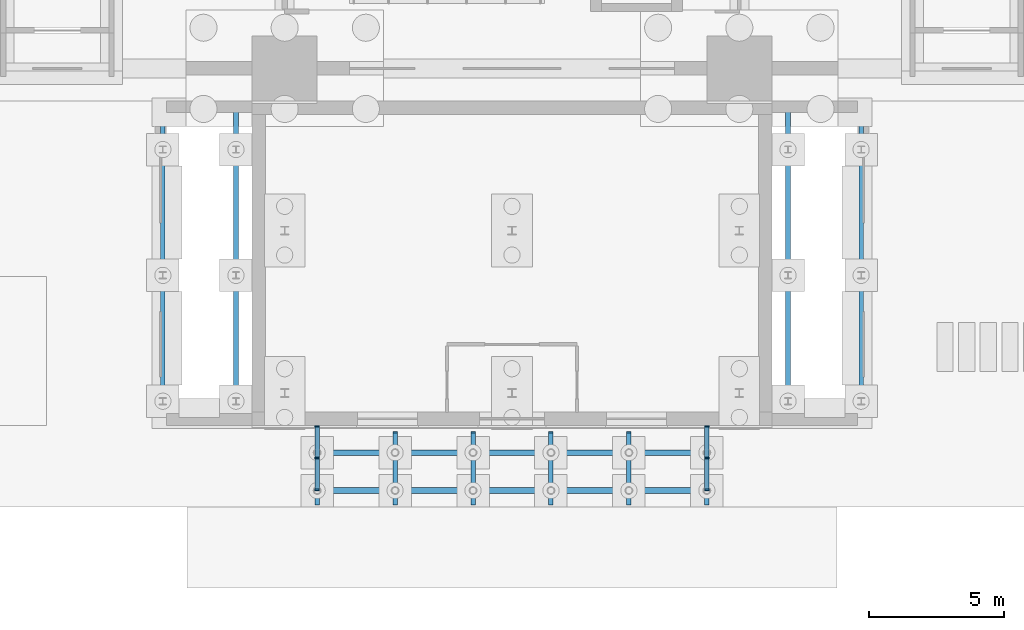
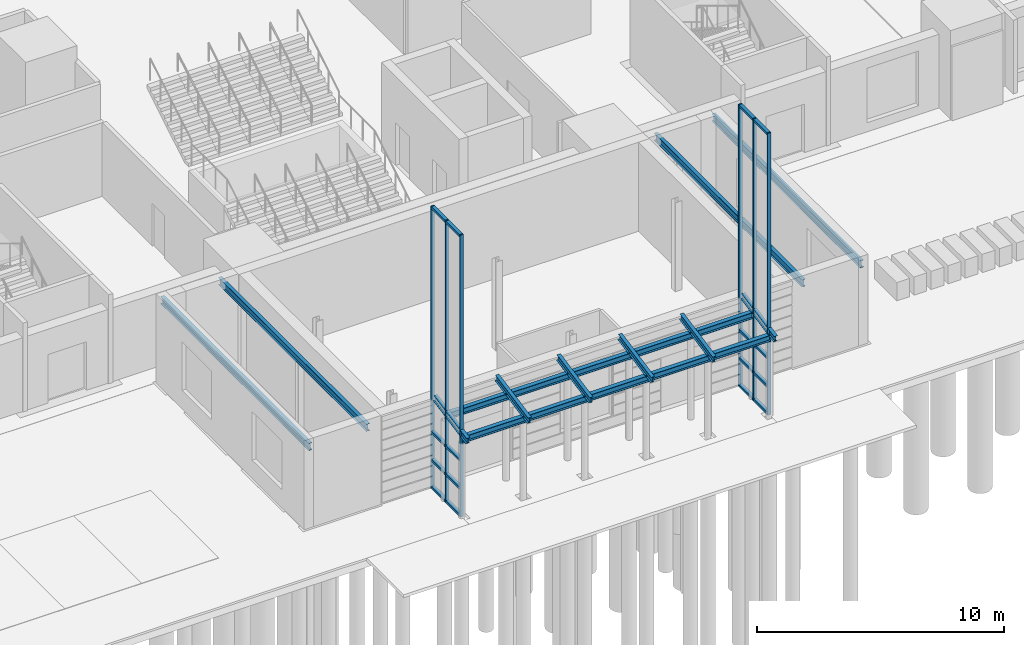
# One storey, part 26 of 139: 28 members, 6 beams, 2 elements without a shape of their own.
"""IFC4 building model written with IfcOpenShell, lengths in metres."""

from ifc_helpers import new_model, si_unit, direction, frame, origin, origin_2d, place, context, subcontext, project, spatial, rectangle, i_section, extrude, material, layer, layer_set, material_profile, profile_set, type_object, element, aggregate, save


model = new_model("IFC4")

# Units and contexts
model_context = context("Model", 3, precision=1e-05, world=origin(), true_north=direction((0.0, 1.0)))
body_context = subcontext(model_context, "Body", "Model", "MODEL_VIEW")
ifc_project = project(units=[si_unit("LENGTHUNIT", "METRE"), si_unit("AREAUNIT", "SQUARE_METRE"), si_unit("VOLUMEUNIT", "CUBIC_METRE"), si_unit("PLANEANGLEUNIT", "RADIAN"), si_unit("MASSUNIT", "GRAM", prefix="KILO")], contexts=[model_context])

# Site, building, storey
site_placement = place(None, origin())
site = spatial("IfcSite", under=ifc_project, at=site_placement, CompositionType="ELEMENT")
building_placement = place(site_placement, origin())
building = spatial("IfcBuilding", under=site, at=building_placement, Name="Verrick Yard Athletic Hall", CompositionType="ELEMENT")
storey_placement = place(building_placement, origin())
storey = spatial("IfcBuildingStorey", under=building, at=storey_placement, Name="L00", CompositionType="ELEMENT", Elevation=0.0)

# Curtain wall, members
ifc_material_1 = material(Name="Anodised aluminium", Category="aluminium")
ifc_layer = layer(ifc_material_1, 0.199951171875)
ifc_layer_set = layer_set([ifc_layer], Name="Front glazing")
curtain_wall_type = type_object("IfcCurtainWallType", Name="Front glazing", PredefinedType="NOTDEFINED", material=ifc_layer_set)
curtain_wall_1_placement = place(storey_placement, origin())
curtain_wall_1 = element("IfcCurtainWall", 1, at=curtain_wall_1_placement, inside=storey, type_object=curtain_wall_type, Name="ENVB-PORCH-W-CW", PredefinedType="NOTDEFINED")
ifc_material_profile_1 = material_profile(ifc_material_1, rectangle(XDim=0.159912109375, YDim=0.06005859375, at=origin_2d()), Name="CW mullion 60x160")
ifc_profile_set_1 = profile_set([ifc_material_profile_1], Name="Anodised aluminium")
member_type_1 = type_object("IfcMemberType", Name="Front glazing mullion 60x160", PredefinedType="MULLION", material=ifc_profile_set_1)
member_1_placement = place(storey_placement, frame((91.60009765625, 3.6298828125, 0.0), z_axis=(0.0, 0.0, 1.0), x_axis=(-1.0, 0.0, 0.0)))
member_1 = element("IfcMember", 2, at=member_1_placement, type_object=member_type_1, Name="ENVB-PORCH-W-CW/M00", PredefinedType="MULLION", context=body_context, shape_type="SweptSolid", body=[
    extrude(rectangle(XDim=0.159912109375, YDim=0.06005859375, at=origin_2d()), origin(), (0.0, 0.0, 1.0), 13.958984375),
])
member_2_placement = place(storey_placement, frame((91.60009765625, 4.800048828125, 0.0), z_axis=(0.0, 0.0, 1.0), x_axis=(-1.0, 0.0, 0.0)))
member_2 = element("IfcMember", 3, at=member_2_placement, type_object=member_type_1, Name="ENVB-PORCH-W-CW/M01", PredefinedType="MULLION", context=body_context, shape_type="SweptSolid", body=[
    extrude(rectangle(XDim=0.159912109375, YDim=0.06005859375, at=origin_2d()), origin(), (0.0, 0.0, 1.0), 13.958984375),
])
member_3_placement = place(storey_placement, frame((91.60009765625, 5.969970703125, 0.0), z_axis=(0.0, 0.0, 1.0), x_axis=(-1.0, 0.0, 0.0)))
member_3 = element("IfcMember", 4, at=member_3_placement, type_object=member_type_1, Name="ENVB-PORCH-W-CW/M02", PredefinedType="MULLION", context=body_context, shape_type="SweptSolid", body=[
    extrude(rectangle(XDim=0.159912109375, YDim=0.06005859375, at=origin_2d()), origin(), (0.0, 0.0, 1.0), 13.958984375),
])

curtain_wall_2_placement = place(storey_placement, origin())
curtain_wall_2 = element("IfcCurtainWall", 5, at=curtain_wall_2_placement, inside=storey, type_object=curtain_wall_type, Name="ENVB-PORCH-E-CW", PredefinedType="NOTDEFINED")
member_4_placement = place(storey_placement, frame((106.0, 3.6298828125, 0.0), z_axis=(0.0, 0.0, 1.0), x_axis=(-1.0, 0.0, 0.0)))
member_4 = element("IfcMember", 6, at=member_4_placement, type_object=member_type_1, Name="ENVB-PORCH-E-CW/M00", PredefinedType="MULLION", context=body_context, shape_type="SweptSolid", body=[
    extrude(rectangle(XDim=0.159912109375, YDim=0.06005859375, at=origin_2d()), origin(), (0.0, 0.0, 1.0), 13.958984375),
])
member_5_placement = place(storey_placement, frame((106.0, 4.800048828125, 0.0), z_axis=(0.0, 0.0, 1.0), x_axis=(-1.0, 0.0, 0.0)))
member_5 = element("IfcMember", 7, at=member_5_placement, type_object=member_type_1, Name="ENVB-PORCH-E-CW/M01", PredefinedType="MULLION", context=body_context, shape_type="SweptSolid", body=[
    extrude(rectangle(XDim=0.159912109375, YDim=0.06005859375, at=origin_2d()), origin(), (0.0, 0.0, 1.0), 13.958984375),
])
member_6_placement = place(storey_placement, frame((106.0, 5.969970703125, 0.0), z_axis=(0.0, 0.0, 1.0), x_axis=(-1.0, 0.0, 0.0)))
member_6 = element("IfcMember", 8, at=member_6_placement, type_object=member_type_1, Name="ENVB-PORCH-E-CW/M02", PredefinedType="MULLION", context=body_context, shape_type="SweptSolid", body=[
    extrude(rectangle(XDim=0.159912109375, YDim=0.06005859375, at=origin_2d()), origin(), (0.0, 0.0, 1.0), 13.958984375),
])

# Member
ifc_material_profile_2 = material_profile(ifc_material_1, rectangle(XDim=0.159912109375, YDim=0.1201171875, at=origin_2d()), Name="CW transom 160x120")
ifc_profile_set_2 = profile_set([ifc_material_profile_2], Name="Anodised aluminium")
member_type_2 = type_object("IfcMemberType", Name="Front glazing transom 160x120", PredefinedType="USERDEFINED", material=ifc_profile_set_2)
member_7_placement = place(storey_placement, frame((91.60009765625, 3.659912109375, 0.06005859375), z_axis=(0.0, 1.0, 0.0), x_axis=(-1.0, 0.0, 0.0)))
member_7 = element("IfcMember", 9, at=member_7_placement, type_object=member_type_2, Name="ENVB-PORCH-W-CW/T00-00", ObjectType="TRANSOM", PredefinedType="USERDEFINED", context=body_context, shape_type="SweptSolid", body=[
    extrude(rectangle(XDim=0.159912109375, YDim=0.1201171875, at=origin_2d()), origin(), (0.0, 0.0, 1.0), 1.110107421875),
])

member_8_placement = place(storey_placement, frame((91.60009765625, 3.659912109375, 1.39990234375), z_axis=(0.0, 1.0, 0.0), x_axis=(-1.0, 0.0, 0.0)))
member_8 = element("IfcMember", 10, at=member_8_placement, type_object=member_type_2, Name="ENVB-PORCH-W-CW/T00-01", ObjectType="TRANSOM", PredefinedType="USERDEFINED", context=body_context, shape_type="SweptSolid", body=[
    extrude(rectangle(XDim=0.159912109375, YDim=0.1201171875, at=origin_2d()), origin(), (0.0, 0.0, 1.0), 1.110107421875),
])

member_9_placement = place(storey_placement, frame((91.60009765625, 3.659912109375, 2.800048828125), z_axis=(0.0, 1.0, 0.0), x_axis=(-1.0, 0.0, 0.0)))
member_9 = element("IfcMember", 11, at=member_9_placement, type_object=member_type_2, Name="ENVB-PORCH-W-CW/T00-02", ObjectType="TRANSOM", PredefinedType="USERDEFINED", context=body_context, shape_type="SweptSolid", body=[
    extrude(rectangle(XDim=0.159912109375, YDim=0.1201171875, at=origin_2d()), origin(), (0.0, 0.0, 1.0), 1.110107421875),
])

member_10_placement = place(storey_placement, frame((91.60009765625, 3.659912109375, 13.89892578125), z_axis=(0.0, 1.0, 0.0), x_axis=(-1.0, 0.0, 0.0)))
member_10 = element("IfcMember", 12, at=member_10_placement, type_object=member_type_2, Name="ENVB-PORCH-W-CW/T00-03", ObjectType="TRANSOM", PredefinedType="USERDEFINED", context=body_context, shape_type="SweptSolid", body=[
    extrude(rectangle(XDim=0.159912109375, YDim=0.1201171875, at=origin_2d()), origin(), (0.0, 0.0, 1.0), 1.110107421875),
])

member_11_placement = place(storey_placement, frame((91.60009765625, 4.830078125, 0.06005859375), z_axis=(0.0, 1.0, 0.0), x_axis=(-1.0, 0.0, 0.0)))
member_11 = element("IfcMember", 13, at=member_11_placement, type_object=member_type_2, Name="ENVB-PORCH-W-CW/T01-00", ObjectType="TRANSOM", PredefinedType="USERDEFINED", context=body_context, shape_type="SweptSolid", body=[
    extrude(rectangle(XDim=0.159912109375, YDim=0.1201171875, at=origin_2d()), origin(), (0.0, 0.0, 1.0), 1.10986328125),
])

member_12_placement = place(storey_placement, frame((91.60009765625, 4.830078125, 1.39990234375), z_axis=(0.0, 1.0, 0.0), x_axis=(-1.0, 0.0, 0.0)))
member_12 = element("IfcMember", 14, at=member_12_placement, type_object=member_type_2, Name="ENVB-PORCH-W-CW/T01-01", ObjectType="TRANSOM", PredefinedType="USERDEFINED", context=body_context, shape_type="SweptSolid", body=[
    extrude(rectangle(XDim=0.159912109375, YDim=0.1201171875, at=origin_2d()), origin(), (0.0, 0.0, 1.0), 1.10986328125),
])

member_13_placement = place(storey_placement, frame((91.60009765625, 4.830078125, 2.800048828125), z_axis=(0.0, 1.0, 0.0), x_axis=(-1.0, 0.0, 0.0)))
member_13 = element("IfcMember", 15, at=member_13_placement, type_object=member_type_2, Name="ENVB-PORCH-W-CW/T01-02", ObjectType="TRANSOM", PredefinedType="USERDEFINED", context=body_context, shape_type="SweptSolid", body=[
    extrude(rectangle(XDim=0.159912109375, YDim=0.1201171875, at=origin_2d()), origin(), (0.0, 0.0, 1.0), 1.10986328125),
])

member_14_placement = place(storey_placement, frame((91.60009765625, 4.830078125, 13.89892578125), z_axis=(0.0, 1.0, 0.0), x_axis=(-1.0, 0.0, 0.0)))
member_14 = element("IfcMember", 16, at=member_14_placement, type_object=member_type_2, Name="ENVB-PORCH-W-CW/T01-03", ObjectType="TRANSOM", PredefinedType="USERDEFINED", context=body_context, shape_type="SweptSolid", body=[
    extrude(rectangle(XDim=0.159912109375, YDim=0.1201171875, at=origin_2d()), origin(), (0.0, 0.0, 1.0), 1.10986328125),
])

aggregate(curtain_wall_1, [member_1, member_2, member_3, member_7, member_8, member_9, member_10, member_11, member_12, member_13, member_14])

member_15_placement = place(storey_placement, frame((106.0, 3.659912109375, 0.06005859375), z_axis=(0.0, 1.0, 0.0), x_axis=(-1.0, 0.0, 0.0)))
member_15 = element("IfcMember", 17, at=member_15_placement, type_object=member_type_2, Name="ENVB-PORCH-E-CW/T00-00", ObjectType="TRANSOM", PredefinedType="USERDEFINED", context=body_context, shape_type="SweptSolid", body=[
    extrude(rectangle(XDim=0.159912109375, YDim=0.1201171875, at=origin_2d()), origin(), (0.0, 0.0, 1.0), 1.110107421875),
])

member_16_placement = place(storey_placement, frame((106.0, 3.659912109375, 1.39990234375), z_axis=(0.0, 1.0, 0.0), x_axis=(-1.0, 0.0, 0.0)))
member_16 = element("IfcMember", 18, at=member_16_placement, type_object=member_type_2, Name="ENVB-PORCH-E-CW/T00-01", ObjectType="TRANSOM", PredefinedType="USERDEFINED", context=body_context, shape_type="SweptSolid", body=[
    extrude(rectangle(XDim=0.159912109375, YDim=0.1201171875, at=origin_2d()), origin(), (0.0, 0.0, 1.0), 1.110107421875),
])

member_17_placement = place(storey_placement, frame((106.0, 3.659912109375, 2.800048828125), z_axis=(0.0, 1.0, 0.0), x_axis=(-1.0, 0.0, 0.0)))
member_17 = element("IfcMember", 19, at=member_17_placement, type_object=member_type_2, Name="ENVB-PORCH-E-CW/T00-02", ObjectType="TRANSOM", PredefinedType="USERDEFINED", context=body_context, shape_type="SweptSolid", body=[
    extrude(rectangle(XDim=0.159912109375, YDim=0.1201171875, at=origin_2d()), origin(), (0.0, 0.0, 1.0), 1.110107421875),
])

member_18_placement = place(storey_placement, frame((106.0, 3.659912109375, 13.89892578125), z_axis=(0.0, 1.0, 0.0), x_axis=(-1.0, 0.0, 0.0)))
member_18 = element("IfcMember", 20, at=member_18_placement, type_object=member_type_2, Name="ENVB-PORCH-E-CW/T00-03", ObjectType="TRANSOM", PredefinedType="USERDEFINED", context=body_context, shape_type="SweptSolid", body=[
    extrude(rectangle(XDim=0.159912109375, YDim=0.1201171875, at=origin_2d()), origin(), (0.0, 0.0, 1.0), 1.110107421875),
])

member_19_placement = place(storey_placement, frame((106.0, 4.830078125, 0.06005859375), z_axis=(0.0, 1.0, 0.0), x_axis=(-1.0, 0.0, 0.0)))
member_19 = element("IfcMember", 21, at=member_19_placement, type_object=member_type_2, Name="ENVB-PORCH-E-CW/T01-00", ObjectType="TRANSOM", PredefinedType="USERDEFINED", context=body_context, shape_type="SweptSolid", body=[
    extrude(rectangle(XDim=0.159912109375, YDim=0.1201171875, at=origin_2d()), origin(), (0.0, 0.0, 1.0), 1.10986328125),
])

member_20_placement = place(storey_placement, frame((106.0, 4.830078125, 1.39990234375), z_axis=(0.0, 1.0, 0.0), x_axis=(-1.0, 0.0, 0.0)))
member_20 = element("IfcMember", 22, at=member_20_placement, type_object=member_type_2, Name="ENVB-PORCH-E-CW/T01-01", ObjectType="TRANSOM", PredefinedType="USERDEFINED", context=body_context, shape_type="SweptSolid", body=[
    extrude(rectangle(XDim=0.159912109375, YDim=0.1201171875, at=origin_2d()), origin(), (0.0, 0.0, 1.0), 1.10986328125),
])

member_21_placement = place(storey_placement, frame((106.0, 4.830078125, 2.800048828125), z_axis=(0.0, 1.0, 0.0), x_axis=(-1.0, 0.0, 0.0)))
member_21 = element("IfcMember", 23, at=member_21_placement, type_object=member_type_2, Name="ENVB-PORCH-E-CW/T01-02", ObjectType="TRANSOM", PredefinedType="USERDEFINED", context=body_context, shape_type="SweptSolid", body=[
    extrude(rectangle(XDim=0.159912109375, YDim=0.1201171875, at=origin_2d()), origin(), (0.0, 0.0, 1.0), 1.10986328125),
])

member_22_placement = place(storey_placement, frame((106.0, 4.830078125, 13.89892578125), z_axis=(0.0, 1.0, 0.0), x_axis=(-1.0, 0.0, 0.0)))
member_22 = element("IfcMember", 24, at=member_22_placement, type_object=member_type_2, Name="ENVB-PORCH-E-CW/T01-03", ObjectType="TRANSOM", PredefinedType="USERDEFINED", context=body_context, shape_type="SweptSolid", body=[
    extrude(rectangle(XDim=0.159912109375, YDim=0.1201171875, at=origin_2d()), origin(), (0.0, 0.0, 1.0), 1.10986328125),
])

aggregate(curtain_wall_2, [member_4, member_5, member_6, member_15, member_16, member_17, member_18, member_19, member_20, member_21, member_22])

# Beams
ifc_material_2 = material(Name="Structural steel 350W (CSA G40.21)", Category="steel")
ifc_material_profile_3 = material_profile(ifc_material_2, i_section(OverallWidth=0.205078125, OverallDepth=0.31005859375, WebThickness=0.009521484375, FlangeThickness=0.016357421875, at=origin_2d()), Name="W310x74")
ifc_profile_set_3 = profile_set([ifc_material_profile_3], Name="Structural steel 350W (CSA G40.21)")
beam_type_1 = type_object("IfcBeamType", Name="STR Eave beam W310x74", PredefinedType="BEAM", material=ifc_profile_set_3)
for number, where, z_axis, x_axis, name in (
    (25, (91.60009765625, 3.60009765625, 3.85498046875), (1.0, 0.0, 0.0), (0.0, 1.0, 0.0), "STR-EB-PF"),
    (26, (91.60009765625, 5.0, 4.135009765625), (1.0, 0.0, 0.0), (0.0, 1.0, 0.0), "STR-EB-PR"),
):
    element("IfcBeam", number, at=place(storey_placement, frame(where, z_axis=z_axis, x_axis=x_axis)), inside=storey, type_object=beam_type_1, Name=name, PredefinedType="BEAM", context=body_context, shape_type="SweptSolid", body=[
        extrude(i_section(OverallWidth=0.205078125, OverallDepth=0.31005859375, WebThickness=0.009521484375, FlangeThickness=0.016357421875, at=origin_2d()), origin(), (0.0, 0.0, 1.0), 14.39990234375),
    ])

# Members
ifc_material_profile_4 = material_profile(ifc_material_2, i_section(OverallWidth=0.1650390625, OverallDepth=0.31005859375, WebThickness=0.005859375, FlangeThickness=0.009765625, at=origin_2d()), Name="W310x39")
ifc_profile_set_4 = profile_set([ifc_material_profile_4], Name="Structural steel 350W (CSA G40.21)")
member_type_3 = type_object("IfcMemberType", Name="STR Rafter W310x39", PredefinedType="RAFTER", material=ifc_profile_set_4)
for number, where, z_axis, x_axis, name in (
    (27, (91.60009765625, 3.10009765625, 4.068115234375), (0.0, 0.980577200827, 0.19613350866), (-1.0, 0.0, 0.0), "STR-RA-P1"),
    (28, (94.47998046875, 3.10009765625, 4.068115234375), (0.0, 0.980577200827, 0.19613350866), (-1.0, 0.0, 0.0), "STR-RA-P2"),
    (29, (97.360107421875, 3.10009765625, 4.068115234375), (0.0, 0.980577200827, 0.19613350866), (-1.0, 0.0, 0.0), "STR-RA-P3"),
    (30, (100.239990234375, 3.10009765625, 4.068115234375), (0.0, 0.980577200827, 0.19613350866), (-1.0, 0.0, 0.0), "STR-RA-P4"),
    (31, (103.1201171875, 3.10009765625, 4.068115234375), (0.0, 0.980577200827, 0.19613350866), (-1.0, 0.0, 0.0), "STR-RA-P5"),
    (32, (106.0, 3.10009765625, 4.068115234375), (0.0, 0.980577200827, 0.19613350866), (-1.0, 0.0, 0.0), "STR-RA-P6"),
):
    element("IfcMember", number, at=place(storey_placement, frame(where, z_axis=z_axis, x_axis=x_axis)), inside=storey, type_object=member_type_3, Name=name, PredefinedType="RAFTER", context=body_context, shape_type="SweptSolid", body=[
        extrude(i_section(OverallWidth=0.1650390625, OverallDepth=0.31005859375, WebThickness=0.005859375, FlangeThickness=0.009765625, at=origin_2d()), origin(), (0.0, 0.0, 1.0), 2.702392578125),
    ])

# Beams
ifc_material_profile_5 = material_profile(ifc_material_2, i_section(OverallWidth=0.1708984375, OverallDepth=0.35498046875, WebThickness=0.007080078125, FlangeThickness=0.01171875, at=origin_2d()), Name="W360x51")
ifc_profile_set_5 = profile_set([ifc_material_profile_5], Name="Structural steel 350W (CSA G40.21)")
beam_type_2 = type_object("IfcBeamType", Name="STR Roof garden beam W360x51", PredefinedType="BEAM", material=ifc_profile_set_5)
for number, where, z_axis, x_axis, name in (
    (33, (85.89990234375, 6.0, 4.0224609375), (0.0, 1.0, 0.0), (-1.0, 0.0, 0.0), "STR-B-LTW1"),
    (34, (88.60009765625, 6.0, 4.0224609375), (0.0, 1.0, 0.0), (-1.0, 0.0, 0.0), "STR-B-LTW2"),
    (35, (109.0, 6.0, 4.0224609375), (0.0, 1.0, 0.0), (-1.0, 0.0, 0.0), "STR-B-LTE1"),
    (36, (111.699951171875, 6.0, 4.0224609375), (0.0, 1.0, 0.0), (-1.0, 0.0, 0.0), "STR-B-LTE2"),
):
    element("IfcBeam", number, at=place(storey_placement, frame(where, z_axis=z_axis, x_axis=x_axis)), inside=storey, type_object=beam_type_2, Name=name, PredefinedType="BEAM", context=body_context, shape_type="SweptSolid", body=[
        extrude(i_section(OverallWidth=0.1708984375, OverallDepth=0.35498046875, WebThickness=0.007080078125, FlangeThickness=0.01171875, at=origin_2d()), origin(), (0.0, 0.0, 1.0), 12.0),
    ])

save(model, "model.ifc")
